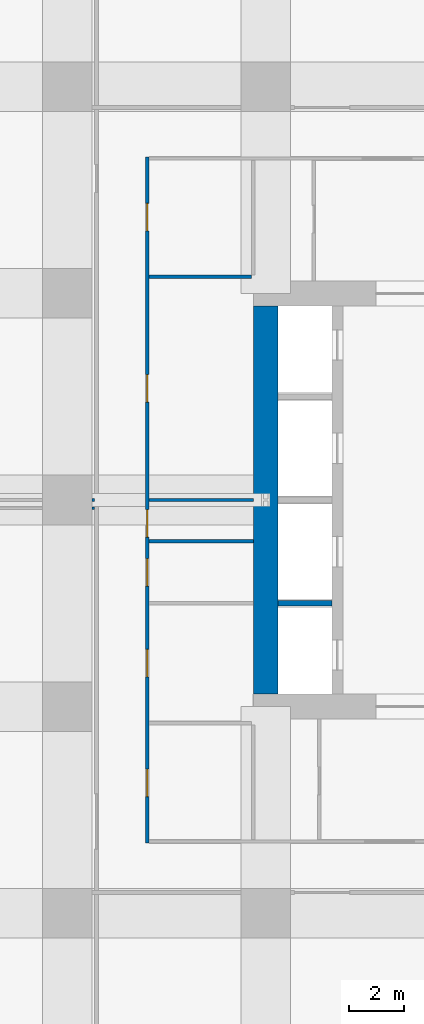
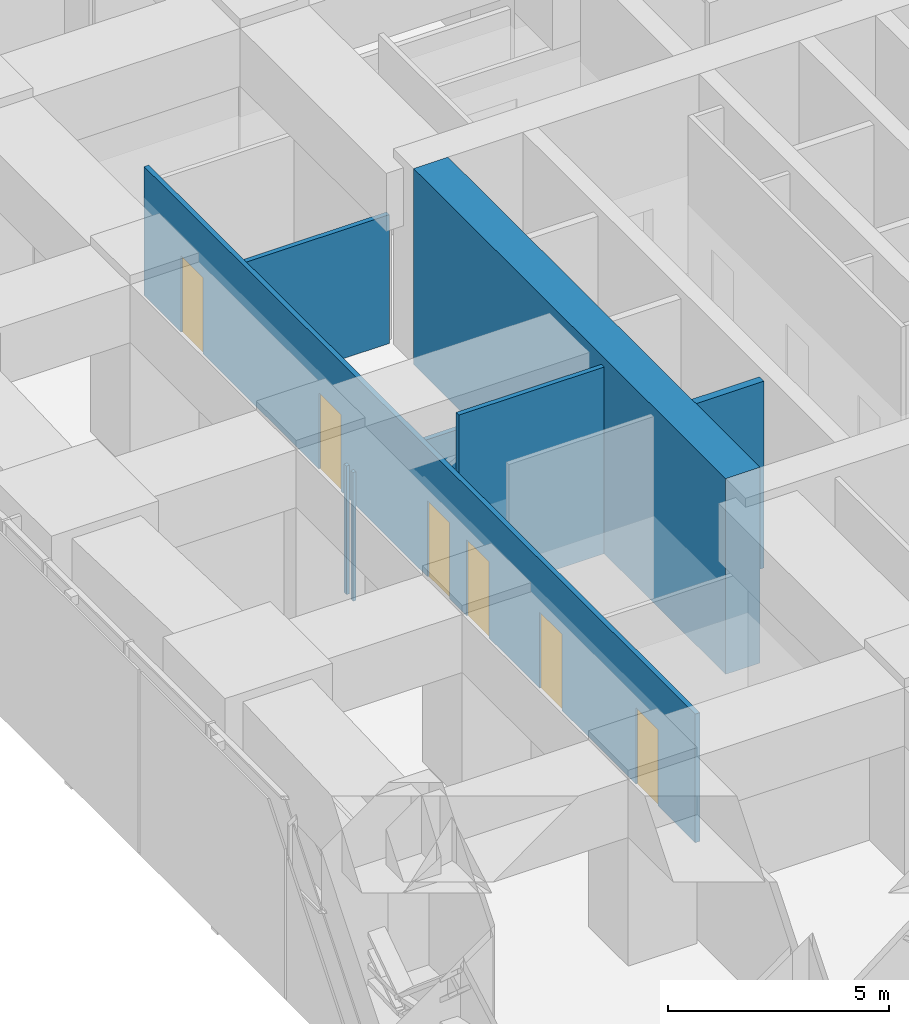
# One storey, part 14 of 20: 8 walls, 6 doors, 6 openings.
"""IFC4 building model written with IfcOpenShell, lengths in metres."""

from ifc_helpers import new_model, si_unit, direction, frame, frame_2d, origin, place, context, subcontext, project, spatial, rectangle, extrude, material, layer, layer_set, type_object, element, fill, save


model = new_model("IFC4")

# Units and contexts
model_context = context("Model", 3, precision=1e-05, world=origin(), true_north=direction((0.0, 1.0)))
body_context = subcontext(model_context, "Body", "Model", "MODEL_VIEW")
ifc_project = project(units=[si_unit("LENGTHUNIT", "METRE"), si_unit("AREAUNIT", "SQUARE_METRE"), si_unit("VOLUMEUNIT", "CUBIC_METRE"), si_unit("PLANEANGLEUNIT", "RADIAN"), si_unit("MASSUNIT", "GRAM", prefix="KILO")], contexts=[model_context])

# Site, building, storey
site_placement = place(None, origin())
site = spatial("IfcSite", under=ifc_project, at=site_placement, CompositionType="ELEMENT")
building_placement = place(site_placement, origin())
building = spatial("IfcBuilding", under=site, at=building_placement, Name="Sheger Commons Tower", CompositionType="ELEMENT")
storey_placement = place(building_placement, frame((0.0, 0.0, 72.5)))
storey = spatial("IfcBuildingStorey", under=building, at=storey_placement, Name="L18", CompositionType="ELEMENT", Elevation=72.5)

# Walls
ifc_material_1 = material(Name="Concrete C50/60", Category="concrete")
ifc_layer_1 = layer(ifc_material_1, 0.89990234375)
ifc_layer_set_1 = layer_set([ifc_layer_1], Name="CORE WALL 900")
wall_type_1 = type_object("IfcWallType", Name="CORE WALL 900", PredefinedType="SHEAR", material=ifc_layer_set_1)
wall_1_placement = place(storey_placement, frame((14.39990234375, 15.449951171875, 0.0), z_axis=(0.0, 0.0, 1.0), x_axis=(0.0, 1.0, 0.0)))
element("IfcWall", 1, at=wall_1_placement, inside=storey, type_object=wall_type_1, Name="Core wall west L18", PredefinedType="SHEAR", context=body_context, shape_type="SweptSolid", body=[
    extrude(rectangle(XDim=14.10009765625, YDim=0.89990234375, at=frame_2d((7.050048828125, 0.0))), origin(), (0.0, 0.0, 1.0), 5.39990234375),
])
ifc_material_2 = material(Name="Gypsum board on steel studs", Category="steel")
ifc_layer_2 = layer(ifc_material_2, 0.10009765625)
ifc_layer_set_2 = layer_set([ifc_layer_2], Name="PARTITION 100")
wall_type_2 = type_object("IfcWallType", Name="PARTITION 100", PredefinedType="PARTITIONING", material=ifc_layer_set_2)
for number, where, z_axis, x_axis, name in (
    (2, (8.10107421875, 22.5, 0.0), (0.0, 0.0, 1.0), (1.0, 0.0, 0.0), "Partition L18"),
    (3, (8.10107421875, 22.199951171875, 0.0), (0.0, 0.0, 1.0), (1.0, 0.0, 0.0), "Partition L18"),
):
    element("IfcWall", number, at=place(storey_placement, frame(where, z_axis=z_axis, x_axis=x_axis)), inside=storey, type_object=wall_type_2, Name=name, PredefinedType="PARTITIONING", context=body_context, shape_type="SweptSolid", body=[
        extrude(rectangle(XDim=0.073974609375, YDim=0.10009765625, at=frame_2d((0.037109375, 0.0))), origin(), (0.0, 0.0, 1.0), 3.550048828125),
    ])

# Wall, openings, doors
ifc_material_3 = material(Name="Gypsum board on steel studs, two layers each side, fire rated", Category="steel")
ifc_layer_3 = layer(ifc_material_3, 0.125)
ifc_layer_set_3 = layer_set([ifc_layer_3], Name="SERVICE WALL 125")
wall_type_3 = type_object("IfcWallType", Name="SERVICE WALL 125", PredefinedType="PARTITIONING", material=ifc_layer_set_3)
wall_2_placement = place(storey_placement, frame((10.10009765625, 10.050048828125, 0.0), z_axis=(0.0, 0.0, 1.0), x_axis=(0.0, 1.0, 0.0)))
wall_2 = element("IfcWall", 4, at=wall_2_placement, inside=storey, type_object=wall_type_3, Name="Service room wall L18", PredefinedType="PARTITIONING", context=body_context, shape_type="SweptSolid", body=[
    extrude(rectangle(XDim=24.89990234375, YDim=0.125, at=frame_2d((12.449951171875, 0.0))), origin(), (0.0, 0.0, 1.0), 3.550048828125),
])
opening_1_placement = place(wall_2_placement, frame((1.675048828125, 0.0, 0.0)))
opening_1 = element("IfcOpeningElement", 5, at=opening_1_placement, cuts=wall_2, Name="Opening D4", PredefinedType="OPENING", context=body_context, shape_type="SweptSolid", body=[
    extrude(rectangle(XDim=1.0, YDim=2.10009765625, at=frame_2d((0.5, 1.050048828125))), frame((0.0, 0.072509765625, 0.0), z_axis=(0.0, -1.0, 0.0), x_axis=(1.0, 0.0, 0.0)), (0.0, 0.0, 1.0), 0.14501953125),
])
opening_2_placement = place(wall_2_placement, frame((16.0, 0.0, 0.0)))
opening_2 = element("IfcOpeningElement", 6, at=opening_2_placement, cuts=wall_2, Name="Opening D4", PredefinedType="OPENING", context=body_context, shape_type="SweptSolid", body=[
    extrude(rectangle(XDim=1.0, YDim=2.10009765625, at=frame_2d((0.5, 1.050048828125))), frame((0.0, 0.072509765625, 0.0), z_axis=(0.0, -1.0, 0.0), x_axis=(1.0, 0.0, 0.0)), (0.0, 0.0, 1.0), 0.14501953125),
])
opening_3_placement = place(wall_2_placement, frame((22.22509765625, 0.0, 0.0)))
opening_3 = element("IfcOpeningElement", 7, at=opening_3_placement, cuts=wall_2, Name="Opening D4", PredefinedType="OPENING", context=body_context, shape_type="SweptSolid", body=[
    extrude(rectangle(XDim=1.0, YDim=2.10009765625, at=frame_2d((0.5, 1.050048828125))), frame((0.0, 0.072509765625, 0.0), z_axis=(0.0, -1.0, 0.0), x_axis=(1.0, 0.0, 0.0)), (0.0, 0.0, 1.0), 0.14501953125),
])
opening_4_placement = place(wall_2_placement, frame((6.02490234375, 0.0, 0.0)))
opening_4 = element("IfcOpeningElement", 8, at=opening_4_placement, cuts=wall_2, Name="Opening D4", PredefinedType="OPENING", context=body_context, shape_type="SweptSolid", body=[
    extrude(rectangle(XDim=1.0, YDim=2.10009765625, at=frame_2d((0.5, 1.050048828125))), frame((0.0, 0.072509765625, 0.0), z_axis=(0.0, -1.0, 0.0), x_axis=(1.0, 0.0, 0.0)), (0.0, 0.0, 1.0), 0.14501953125),
])
opening_5_placement = place(wall_2_placement, frame((9.324951171875, 0.0, 0.0)))
opening_5 = element("IfcOpeningElement", 9, at=opening_5_placement, cuts=wall_2, Name="Opening D4", PredefinedType="OPENING", context=body_context, shape_type="SweptSolid", body=[
    extrude(rectangle(XDim=1.0, YDim=2.10009765625, at=frame_2d((0.5, 1.050048828125))), frame((0.0, 0.072509765625, 0.0), z_axis=(0.0, -1.0, 0.0), x_axis=(1.0, 0.0, 0.0)), (0.0, 0.0, 1.0), 0.14501953125),
])
opening_6_placement = place(wall_2_placement, frame((11.10009765625, 0.0, 0.0)))
opening_6 = element("IfcOpeningElement", 10, at=opening_6_placement, cuts=wall_2, Name="Opening D4", PredefinedType="OPENING", context=body_context, shape_type="SweptSolid", body=[
    extrude(rectangle(XDim=1.0, YDim=2.10009765625, at=frame_2d((0.5, 1.050048828125))), frame((0.0, 0.072509765625, 0.0), z_axis=(0.0, -1.0, 0.0), x_axis=(1.0, 0.0, 0.0)), (0.0, 0.0, 1.0), 0.14501953125),
])
ifc_material_4 = material(Name="Steel door set, fire rated", Category="steel")
door_type = type_object("IfcDoorType", Name="SERVICE DOOR 1000x2100", OperationType="NOTDEFINED", PredefinedType="DOOR", material=ifc_material_4)
door_1_placement = place(opening_1_placement, origin())
door_1 = element("IfcDoor", 11, at=door_1_placement, inside=storey, type_object=door_type, Name="Male WC door", OperationType="SINGLE_SWING_RIGHT", OverallHeight=2.10009765625, OverallWidth=1.0, PredefinedType="DOOR", context=body_context, shape_type="SweptSolid", body=[
    extrude(rectangle(XDim=1.0, YDim=2.10009765625, at=frame_2d((0.5, 1.050048828125))), frame((0.0, 0.02490234375, 0.0), z_axis=(0.0, -1.0, 0.0), x_axis=(1.0, 0.0, 0.0)), (0.0, 0.0, 1.0), 0.050048828125),
])
fill(opening_1, door_1)
door_2_placement = place(opening_2_placement, origin())
door_2 = element("IfcDoor", 12, at=door_2_placement, inside=storey, type_object=door_type, Name="Community furniture store door", OperationType="SINGLE_SWING_RIGHT", OverallHeight=2.10009765625, OverallWidth=1.0, PredefinedType="DOOR", context=body_context, shape_type="SweptSolid", body=[
    extrude(rectangle(XDim=1.0, YDim=2.10009765625, at=frame_2d((0.5, 1.050048828125))), frame((0.0, 0.02490234375, 0.0), z_axis=(0.0, -1.0, 0.0), x_axis=(1.0, 0.0, 0.0)), (0.0, 0.0, 1.0), 0.050048828125),
])
fill(opening_2, door_2)
door_3_placement = place(opening_3_placement, origin())
door_3 = element("IfcDoor", 13, at=door_3_placement, inside=storey, type_object=door_type, Name="Cleaner's store door", OperationType="SINGLE_SWING_LEFT", OverallHeight=2.10009765625, OverallWidth=1.0, PredefinedType="DOOR", context=body_context, shape_type="SweptSolid", body=[
    extrude(rectangle(XDim=1.0, YDim=2.10009765625, at=frame_2d((0.5, 1.050048828125))), frame((0.0, 0.02490234375, 0.0), z_axis=(0.0, -1.0, 0.0), x_axis=(1.0, 0.0, 0.0)), (0.0, 0.0, 1.0), 0.050048828125),
])
fill(opening_3, door_3)
door_4_placement = place(opening_4_placement, origin())
door_4 = element("IfcDoor", 14, at=door_4_placement, inside=storey, type_object=door_type, Name="Female WC door", OperationType="SINGLE_SWING_RIGHT", OverallHeight=2.10009765625, OverallWidth=1.0, PredefinedType="DOOR", context=body_context, shape_type="SweptSolid", body=[
    extrude(rectangle(XDim=1.0, YDim=2.10009765625, at=frame_2d((0.5, 1.050048828125))), frame((0.0, 0.02490234375, 0.0), z_axis=(0.0, -1.0, 0.0), x_axis=(1.0, 0.0, 0.0)), (0.0, 0.0, 1.0), 0.050048828125),
])
fill(opening_4, door_4)
door_5_placement = place(opening_5_placement, origin())
door_5 = element("IfcDoor", 15, at=door_5_placement, inside=storey, type_object=door_type, Name="Accessible WC door", OperationType="SINGLE_SWING_RIGHT", OverallHeight=2.10009765625, OverallWidth=1.0, PredefinedType="DOOR", context=body_context, shape_type="SweptSolid", body=[
    extrude(rectangle(XDim=1.0, YDim=2.10009765625, at=frame_2d((0.5, 1.050048828125))), frame((0.0, 0.02490234375, 0.0), z_axis=(0.0, -1.0, 0.0), x_axis=(1.0, 0.0, 0.0)), (0.0, 0.0, 1.0), 0.050048828125),
])
fill(opening_5, door_5)
door_6_placement = place(opening_6_placement, origin())
door_6 = element("IfcDoor", 16, at=door_6_placement, inside=storey, type_object=door_type, Name="Baby change room door", OperationType="SINGLE_SWING_RIGHT", OverallHeight=2.10009765625, OverallWidth=1.0, PredefinedType="DOOR", context=body_context, shape_type="SweptSolid", body=[
    extrude(rectangle(XDim=1.0, YDim=2.10009765625, at=frame_2d((0.5, 1.050048828125))), frame((0.0, 0.02490234375, 0.0), z_axis=(0.0, -1.0, 0.0), x_axis=(1.0, 0.0, 0.0)), (0.0, 0.0, 1.0), 0.050048828125),
])
fill(opening_6, door_6)

# Walls
wall_3_placement = place(storey_placement, frame((10.1630859375, 22.5, 0.0), z_axis=(0.0, 0.0, 1.0), x_axis=(1.0, 0.0, 0.0)))
element("IfcWall", 17, at=wall_3_placement, inside=storey, type_object=wall_type_3, Name="Service room wall L18", PredefinedType="PARTITIONING", context=body_context, shape_type="SweptSolid", body=[
    extrude(rectangle(XDim=3.786865234375, YDim=0.125, at=frame_2d((1.8935546875, 0.0))), origin(), (0.0, 0.0, 1.0), 3.550048828125),
])
wall_4_placement = place(storey_placement, frame((10.1630859375, 30.60009765625, 0.0), z_axis=(0.0, 0.0, 1.0), x_axis=(1.0, 0.0, 0.0)))
element("IfcWall", 18, at=wall_4_placement, inside=storey, type_object=wall_type_3, Name="Service room wall L18", PredefinedType="PARTITIONING", context=body_context, shape_type="SweptSolid", body=[
    extrude(rectangle(XDim=3.724853515625, YDim=0.125, at=frame_2d((1.8623046875, 0.0))), origin(), (0.0, 0.0, 1.0), 3.550048828125),
])
wall_5_placement = place(storey_placement, frame((10.1630859375, 21.0, 0.0), z_axis=(0.0, 0.0, 1.0), x_axis=(1.0, 0.0, 0.0)))
element("IfcWall", 19, at=wall_5_placement, inside=storey, type_object=wall_type_3, Name="Service room wall L18", PredefinedType="PARTITIONING", context=body_context, shape_type="SweptSolid", body=[
    extrude(rectangle(XDim=3.786865234375, YDim=0.125, at=frame_2d((1.8935546875, 0.0))), origin(), (0.0, 0.0, 1.0), 5.14990234375),
])
ifc_material_5 = material(Name="Hollow concrete block masonry", Category="masonry")
ifc_layer_4 = layer(ifc_material_5, 0.199951171875)
ifc_layer_set_4 = layer_set([ifc_layer_4], Name="SHAFT WALL 200")
wall_type_4 = type_object("IfcWallType", Name="SHAFT WALL 200", PredefinedType="SOLIDWALL", material=ifc_layer_set_4)
wall_6_placement = place(storey_placement, frame((14.85009765625, 18.75, 0.0), z_axis=(0.0, 0.0, 1.0), x_axis=(1.0, 0.0, 0.0)))
element("IfcWall", 20, at=wall_6_placement, inside=storey, type_object=wall_type_4, Name="Lift shaft wall L18", PredefinedType="SOLIDWALL", context=body_context, shape_type="SweptSolid", body=[
    extrude(rectangle(XDim=1.949951171875, YDim=0.199951171875, at=frame_2d((0.97509765625, 0.0))), origin(), (0.0, 0.0, 1.0), 5.14990234375),
])

save(model, "model.ifc")
